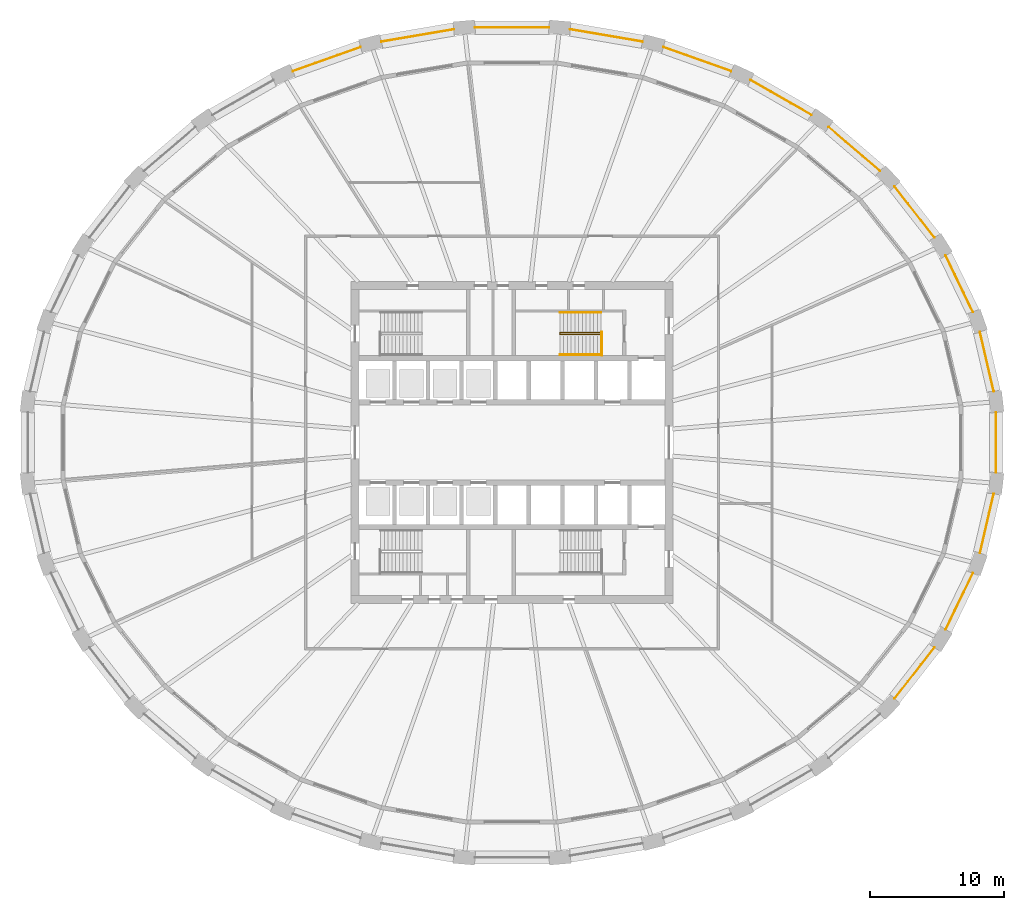
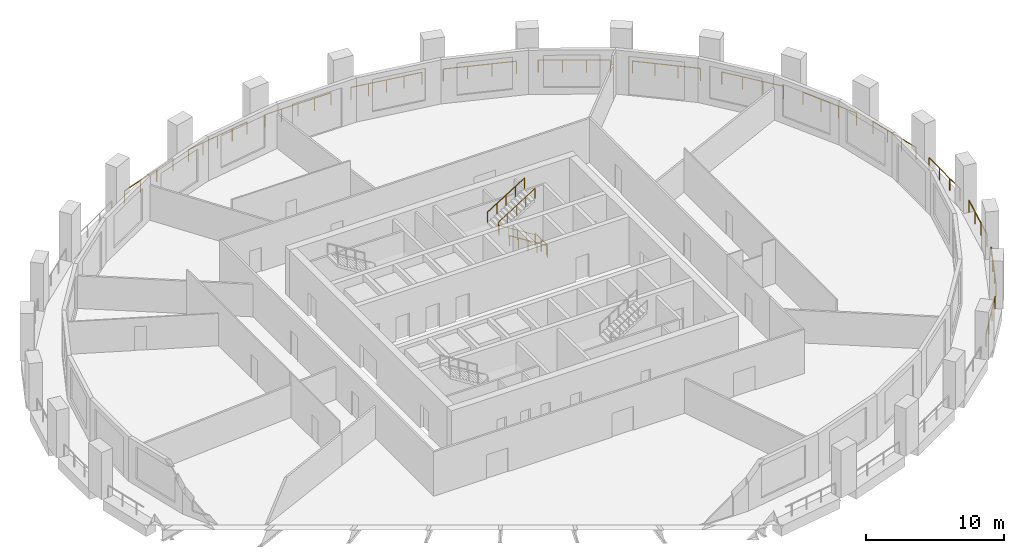
# One storey, part 9 of 10: 18 railings.
"""IFC4 building model written with IfcOpenShell, lengths in metres."""

from ifc_helpers import new_model, si_unit, direction, frame, origin, origin_2d, place, context, subcontext, project, spatial, circle, extrude, material, type_object, element, save


model = new_model("IFC4")

# Units and contexts
model_context = context("Model", 3, precision=1e-05, world=origin(), true_north=direction((0.0, 1.0)))
body_context = subcontext(model_context, "Body", "Model", "MODEL_VIEW")
ifc_project = project(units=[si_unit("LENGTHUNIT", "METRE"), si_unit("AREAUNIT", "SQUARE_METRE"), si_unit("VOLUMEUNIT", "CUBIC_METRE"), si_unit("PLANEANGLEUNIT", "RADIAN"), si_unit("MASSUNIT", "GRAM", prefix="KILO")], contexts=[model_context])

# Site, building, storey
site_placement = place(None, origin())
site = spatial("IfcSite", under=ifc_project, at=site_placement, CompositionType="ELEMENT")
building_placement = place(site_placement, origin())
building = spatial("IfcBuilding", under=site, at=building_placement, Name="Halqa Exchange Tower", CompositionType="ELEMENT")
storey_placement = place(building_placement, frame((0.0, 0.0, 86.5)))
storey = spatial("IfcBuildingStorey", under=building, at=storey_placement, Name="L19", CompositionType="ELEMENT", Elevation=86.5)

# Railings
ifc_material = material(Name="Stainless steel", Category="steel")
railing_type_1 = type_object("IfcRailingType", Name="Guard 1100 stainless steel", PredefinedType="GUARDRAIL", material=ifc_material)
railing_1_placement = place(storey_placement, frame((35.933837890625, 3.828125, 0.0)))
element("IfcRailing", 1, at=railing_1_placement, inside=storey, type_object=railing_type_1, Name="Loggia guard 1", PredefinedType="GUARDRAIL", context=body_context, shape_type="SweptSolid", body=[
    extrude(circle(Radius=0.02392578125, at=origin_2d()), frame((0.0, 0.0, 1.076171875), z_axis=(-0.226049512148, 0.974115813473, 0.0), x_axis=(-0.974115813473, -0.226049512148, 0.0)), (0.0, 0.0, 1.0), 4.539306640625),
    extrude(circle(Radius=0.02099609375, at=origin_2d()), origin(), (0.0, 0.0, 1.0), 1.052001953125),
    extrude(circle(Radius=0.02099609375, at=origin_2d()), frame((-0.342041015625, 1.473876953125, 0.0)), (0.0, 0.0, 1.0), 1.052001953125),
    extrude(circle(Radius=0.02099609375, at=origin_2d()), frame((-0.68408203125, 2.947998046875, 0.0)), (0.0, 0.0, 1.0), 1.052001953125),
    extrude(circle(Radius=0.02099609375, at=origin_2d()), frame((-1.026123046875, 4.421875, 0.0)), (0.0, 0.0, 1.0), 1.052001953125),
])
railing_2_placement = place(storey_placement, frame((34.37890625, 9.749755859375, 0.0)))
element("IfcRailing", 2, at=railing_2_placement, inside=storey, type_object=railing_type_1, Name="Loggia guard 2", PredefinedType="GUARDRAIL", context=body_context, shape_type="SweptSolid", body=[
    extrude(circle(Radius=0.02392578125, at=origin_2d()), frame((0.0, 0.0, 1.076171875), z_axis=(-0.435136078438, 0.900364700131, 0.0), x_axis=(-0.900364700131, -0.435136078438, 0.0)), (0.0, 0.0, 1.0), 4.65673828125),
    extrude(circle(Radius=0.02099609375, at=origin_2d()), origin(), (0.0, 0.0, 1.0), 1.052001953125),
    extrude(circle(Radius=0.02099609375, at=origin_2d()), frame((-0.675537109375, 1.397705078125, 0.0)), (0.0, 0.0, 1.0), 1.052001953125),
    extrude(circle(Radius=0.02099609375, at=origin_2d()), frame((-1.350830078125, 2.795166015625, 0.0)), (0.0, 0.0, 1.0), 1.052001953125),
    extrude(circle(Radius=0.02099609375, at=origin_2d()), frame((-2.0263671875, 4.19287109375, 0.0)), (0.0, 0.0, 1.0), 1.052001953125),
])
railing_3_placement = place(storey_placement, frame((31.5126953125, 15.293701171875, 0.0)))
element("IfcRailing", 3, at=railing_3_placement, inside=storey, type_object=railing_type_1, Name="Loggia guard 3", PredefinedType="GUARDRAIL", context=body_context, shape_type="SweptSolid", body=[
    extrude(circle(Radius=0.02392578125, at=origin_2d()), frame((0.0, 0.0, 1.076171875), z_axis=(-0.614804814525, 0.788679301133, 0.0), x_axis=(-0.788679301133, -0.614804814525, 0.0)), (0.0, 0.0, 1.0), 4.828857421875),
    extrude(circle(Radius=0.02099609375, at=origin_2d()), origin(), (0.0, 0.0, 1.0), 1.052001953125),
    extrude(circle(Radius=0.02099609375, at=origin_2d()), frame((-0.989501953125, 1.26953125, 0.0)), (0.0, 0.0, 1.0), 1.052001953125),
    extrude(circle(Radius=0.02099609375, at=origin_2d()), frame((-1.979248046875, 2.538818359375, 0.0)), (0.0, 0.0, 1.0), 1.052001953125),
    extrude(circle(Radius=0.02099609375, at=origin_2d()), frame((-2.96875, 3.808349609375, 0.0)), (0.0, 0.0, 1.0), 1.052001953125),
])
railing_4_placement = place(storey_placement, frame((27.44482421875, 20.253662109375, 0.0)))
element("IfcRailing", 4, at=railing_4_placement, inside=storey, type_object=railing_type_1, Name="Loggia guard 4", PredefinedType="GUARDRAIL", context=body_context, shape_type="SweptSolid", body=[
    extrude(circle(Radius=0.02392578125, at=origin_2d()), frame((0.0, 0.0, 1.076171875), z_axis=(-0.759263460736, 0.650783371938, 0.0), x_axis=(-0.650783371938, -0.759263460736, 0.0)), (0.0, 0.0, 1.0), 5.025390625),
    extrude(circle(Radius=0.02099609375, at=origin_2d()), origin(), (0.0, 0.0, 1.0), 1.052001953125),
    extrude(circle(Radius=0.02099609375, at=origin_2d()), frame((-1.27197265625, 1.090087890625, 0.0)), (0.0, 0.0, 1.0), 1.052001953125),
    extrude(circle(Radius=0.02099609375, at=origin_2d()), frame((-2.543701171875, 2.180419921875, 0.0)), (0.0, 0.0, 1.0), 1.052001953125),
    extrude(circle(Radius=0.02099609375, at=origin_2d()), frame((-3.815673828125, 3.2705078125, 0.0)), (0.0, 0.0, 1.0), 1.052001953125),
])
railing_5_placement = place(storey_placement, frame((22.32763671875, 24.4423828125, 0.0)))
element("IfcRailing", 5, at=railing_5_placement, inside=storey, type_object=railing_type_1, Name="Loggia guard 5", PredefinedType="GUARDRAIL", context=body_context, shape_type="SweptSolid", body=[
    extrude(circle(Radius=0.02392578125, at=origin_2d()), frame((0.0, 0.0, 1.076171875), z_axis=(-0.867755983437, 0.496990496096, 0.0), x_axis=(-0.496990496096, -0.867755983437, 0.0)), (0.0, 0.0, 1.0), 5.216552734375),
    extrude(circle(Radius=0.02099609375, at=origin_2d()), origin(), (0.0, 0.0, 1.0), 1.052001953125),
    extrude(circle(Radius=0.02099609375, at=origin_2d()), frame((-1.5087890625, 0.8642578125, 0.0)), (0.0, 0.0, 1.0), 1.052001953125),
    extrude(circle(Radius=0.02099609375, at=origin_2d()), frame((-3.017822265625, 1.728271484375, 0.0)), (0.0, 0.0, 1.0), 1.052001953125),
    extrude(circle(Radius=0.02099609375, at=origin_2d()), frame((-4.526611328125, 2.592529296875, 0.0)), (0.0, 0.0, 1.0), 1.052001953125),
])
railing_6_placement = place(storey_placement, frame((16.352783203125, 27.7001953125, 0.0)))
element("IfcRailing", 6, at=railing_6_placement, inside=storey, type_object=railing_type_1, Name="Loggia guard 6", PredefinedType="GUARDRAIL", context=body_context, shape_type="SweptSolid", body=[
    extrude(circle(Radius=0.02392578125, at=origin_2d()), frame((0.0, 0.0, 1.076171875), z_axis=(-0.942372313915, 0.334566020341, 0.0), x_axis=(-0.334566020341, -0.942372313915, 0.0)), (0.0, 0.0, 1.0), 5.37451171875),
    extrude(circle(Radius=0.02099609375, at=origin_2d()), origin(), (0.0, 0.0, 1.0), 1.052001953125),
    extrude(circle(Radius=0.02099609375, at=origin_2d()), frame((-1.688232421875, 0.599365234375, 0.0)), (0.0, 0.0, 1.0), 1.052001953125),
    extrude(circle(Radius=0.02099609375, at=origin_2d()), frame((-3.37646484375, 1.19873046875, 0.0)), (0.0, 0.0, 1.0), 1.052001953125),
    extrude(circle(Radius=0.02099609375, at=origin_2d()), frame((-5.064697265625, 1.798095703125, 0.0)), (0.0, 0.0, 1.0), 1.052001953125),
])
railing_7_placement = place(storey_placement, frame((9.74560546875, 29.900390625, 0.0)))
element("IfcRailing", 7, at=railing_7_placement, inside=storey, type_object=railing_type_1, Name="Loggia guard 7", PredefinedType="GUARDRAIL", context=body_context, shape_type="SweptSolid", body=[
    extrude(circle(Radius=0.02392578125, at=origin_2d()), frame((0.0, 0.0, 1.076171875), z_axis=(-0.985775171727, 0.168069363079, 0.0), x_axis=(-0.168069363079, -0.985775171727, 0.0)), (0.0, 0.0, 1.0), 5.477783203125),
    extrude(circle(Radius=0.02099609375, at=origin_2d()), origin(), (0.0, 0.0, 1.0), 1.052001953125),
    extrude(circle(Radius=0.02099609375, at=origin_2d()), frame((-1.35009765625, 0.230224609375, 0.0)), (0.0, 0.0, 1.0), 1.052001953125),
    extrude(circle(Radius=0.02099609375, at=origin_2d()), frame((-2.699951171875, 0.46044921875, 0.0)), (0.0, 0.0, 1.0), 1.052001953125),
    extrude(circle(Radius=0.02099609375, at=origin_2d()), frame((-4.0498046875, 0.6904296875, 0.0)), (0.0, 0.0, 1.0), 1.052001953125),
    extrude(circle(Radius=0.02099609375, at=origin_2d()), frame((-5.39990234375, 0.920654296875, 0.0)), (0.0, 0.0, 1.0), 1.052001953125),
])
railing_8_placement = place(storey_placement, frame((2.757080078125, 30.95556640625, 0.0)))
element("IfcRailing", 8, at=railing_8_placement, inside=storey, type_object=railing_type_1, Name="Loggia guard 8", PredefinedType="GUARDRAIL", context=body_context, shape_type="SweptSolid", body=[
    extrude(circle(Radius=0.02392578125, at=origin_2d()), frame((0.0, 0.0, 1.076171875), z_axis=(-1.0, 0.0, 0.0), x_axis=(0.0, -1.0, 0.0)), (0.0, 0.0, 1.0), 5.51416015625),
    extrude(circle(Radius=0.02099609375, at=origin_2d()), origin(), (0.0, 0.0, 1.0), 1.052001953125),
    extrude(circle(Radius=0.02099609375, at=origin_2d()), frame((-1.37841796875, 0.0, 0.0)), (0.0, 0.0, 1.0), 1.052001953125),
    extrude(circle(Radius=0.02099609375, at=origin_2d()), frame((-2.757080078125, 0.0, 0.0)), (0.0, 0.0, 1.0), 1.052001953125),
    extrude(circle(Radius=0.02099609375, at=origin_2d()), frame((-4.1357421875, 0.0, 0.0)), (0.0, 0.0, 1.0), 1.052001953125),
    extrude(circle(Radius=0.02099609375, at=origin_2d()), frame((-5.51416015625, 0.0, 0.0)), (0.0, 0.0, 1.0), 1.052001953125),
])
railing_9_placement = place(storey_placement, frame((-4.345703125, 30.821044921875, 0.0)))
element("IfcRailing", 9, at=railing_9_placement, inside=storey, type_object=railing_type_1, Name="Loggia guard 9", PredefinedType="GUARDRAIL", context=body_context, shape_type="SweptSolid", body=[
    extrude(circle(Radius=0.02392578125, at=origin_2d()), frame((0.0, 0.0, 1.076171875), z_axis=(-0.985775171727, -0.168069363079, 0.0), x_axis=(0.168069363079, -0.985775171727, 0.0)), (0.0, 0.0, 1.0), 5.477783203125),
    extrude(circle(Radius=0.02099609375, at=origin_2d()), origin(), (0.0, 0.0, 1.0), 1.052001953125),
    extrude(circle(Radius=0.02099609375, at=origin_2d()), frame((-1.35009765625, -0.230224609375, 0.0)), (0.0, 0.0, 1.0), 1.052001953125),
    extrude(circle(Radius=0.02099609375, at=origin_2d()), frame((-2.699951171875, -0.46044921875, 0.0)), (0.0, 0.0, 1.0), 1.052001953125),
    extrude(circle(Radius=0.02099609375, at=origin_2d()), frame((-4.0498046875, -0.6904296875, 0.0)), (0.0, 0.0, 1.0), 1.052001953125),
    extrude(circle(Radius=0.02099609375, at=origin_2d()), frame((-5.39990234375, -0.920654296875, 0.0)), (0.0, 0.0, 1.0), 1.052001953125),
])
railing_10_placement = place(storey_placement, frame((-11.2880859375, 29.498291015625, 0.0)))
element("IfcRailing", 10, at=railing_10_placement, inside=storey, type_object=railing_type_1, Name="Loggia guard 10", PredefinedType="GUARDRAIL", context=body_context, shape_type="SweptSolid", body=[
    extrude(circle(Radius=0.02392578125, at=origin_2d()), frame((0.0, 0.0, 1.076171875), z_axis=(-0.942372313915, -0.334566020341, 0.0), x_axis=(0.334566020341, -0.942372313915, 0.0)), (0.0, 0.0, 1.0), 5.37451171875),
    extrude(circle(Radius=0.02099609375, at=origin_2d()), origin(), (0.0, 0.0, 1.0), 1.052001953125),
    extrude(circle(Radius=0.02099609375, at=origin_2d()), frame((-1.688232421875, -0.599365234375, 0.0)), (0.0, 0.0, 1.0), 1.052001953125),
    extrude(circle(Radius=0.02099609375, at=origin_2d()), frame((-3.37646484375, -1.19873046875, 0.0)), (0.0, 0.0, 1.0), 1.052001953125),
    extrude(circle(Radius=0.02099609375, at=origin_2d()), frame((-5.064697265625, -1.798095703125, 0.0)), (0.0, 0.0, 1.0), 1.052001953125),
])
railing_11_placement = place(storey_placement, frame((28.5439453125, -19.10205078125, 0.0)))
element("IfcRailing", 11, at=railing_11_placement, inside=storey, type_object=railing_type_1, Name="Loggia guard 29", PredefinedType="GUARDRAIL", context=body_context, shape_type="SweptSolid", body=[
    extrude(circle(Radius=0.02392578125, at=origin_2d()), frame((0.0, 0.0, 1.076171875), z_axis=(0.614804814525, 0.788679301133, 0.0), x_axis=(-0.788679301133, 0.614804814525, 0.0)), (0.0, 0.0, 1.0), 4.828857421875),
    extrude(circle(Radius=0.02099609375, at=origin_2d()), origin(), (0.0, 0.0, 1.0), 1.052001953125),
    extrude(circle(Radius=0.02099609375, at=origin_2d()), frame((0.989501953125, 1.26953125, 0.0)), (0.0, 0.0, 1.0), 1.052001953125),
    extrude(circle(Radius=0.02099609375, at=origin_2d()), frame((1.979248046875, 2.538818359375, 0.0)), (0.0, 0.0, 1.0), 1.052001953125),
    extrude(circle(Radius=0.02099609375, at=origin_2d()), frame((2.96875, 3.808349609375, 0.0)), (0.0, 0.0, 1.0), 1.052001953125),
])
railing_12_placement = place(storey_placement, frame((32.3525390625, -13.942626953125, 0.0)))
element("IfcRailing", 12, at=railing_12_placement, inside=storey, type_object=railing_type_1, Name="Loggia guard 30", PredefinedType="GUARDRAIL", context=body_context, shape_type="SweptSolid", body=[
    extrude(circle(Radius=0.02392578125, at=origin_2d()), frame((0.0, 0.0, 1.076171875), z_axis=(0.435136078438, 0.900364700131, 0.0), x_axis=(-0.900364700131, 0.435136078438, 0.0)), (0.0, 0.0, 1.0), 4.65673828125),
    extrude(circle(Radius=0.02099609375, at=origin_2d()), origin(), (0.0, 0.0, 1.0), 1.052001953125),
    extrude(circle(Radius=0.02099609375, at=origin_2d()), frame((0.675537109375, 1.397705078125, 0.0)), (0.0, 0.0, 1.0), 1.052001953125),
    extrude(circle(Radius=0.02099609375, at=origin_2d()), frame((1.350830078125, 2.795166015625, 0.0)), (0.0, 0.0, 1.0), 1.052001953125),
    extrude(circle(Radius=0.02099609375, at=origin_2d()), frame((2.0263671875, 4.19287109375, 0.0)), (0.0, 0.0, 1.0), 1.052001953125),
])
railing_13_placement = place(storey_placement, frame((34.90771484375, -8.25, 0.0)))
element("IfcRailing", 13, at=railing_13_placement, inside=storey, type_object=railing_type_1, Name="Loggia guard 31", PredefinedType="GUARDRAIL", context=body_context, shape_type="SweptSolid", body=[
    extrude(circle(Radius=0.02392578125, at=origin_2d()), frame((0.0, 0.0, 1.076171875), z_axis=(0.226049512148, 0.974115813473, 0.0), x_axis=(-0.974115813473, 0.226049512148, 0.0)), (0.0, 0.0, 1.0), 4.539306640625),
    extrude(circle(Radius=0.02099609375, at=origin_2d()), origin(), (0.0, 0.0, 1.0), 1.052001953125),
    extrude(circle(Radius=0.02099609375, at=origin_2d()), frame((0.342041015625, 1.473876953125, 0.0)), (0.0, 0.0, 1.0), 1.052001953125),
    extrude(circle(Radius=0.02099609375, at=origin_2d()), frame((0.68408203125, 2.947998046875, 0.0)), (0.0, 0.0, 1.0), 1.052001953125),
    extrude(circle(Radius=0.02099609375, at=origin_2d()), frame((1.026123046875, 4.421875, 0.0)), (0.0, 0.0, 1.0), 1.052001953125),
])
railing_14_placement = place(storey_placement, frame((36.11474609375, -2.248779296875, 0.0)))
element("IfcRailing", 14, at=railing_14_placement, inside=storey, type_object=railing_type_1, Name="Loggia guard 32", PredefinedType="GUARDRAIL", context=body_context, shape_type="SweptSolid", body=[
    extrude(circle(Radius=0.02392578125, at=origin_2d()), frame((0.0, 0.0, 1.076171875), z_axis=(0.0, 1.0, 0.0), x_axis=(-1.0, 0.0, 0.0)), (0.0, 0.0, 1.0), 4.49755859375),
    extrude(circle(Radius=0.02099609375, at=origin_2d()), origin(), (0.0, 0.0, 1.0), 1.052001953125),
    extrude(circle(Radius=0.02099609375, at=origin_2d()), frame((0.0, 1.499267578125, 0.0)), (0.0, 0.0, 1.0), 1.052001953125),
    extrude(circle(Radius=0.02099609375, at=origin_2d()), frame((0.0, 2.998291015625, 0.0)), (0.0, 0.0, 1.0), 1.052001953125),
    extrude(circle(Radius=0.02099609375, at=origin_2d()), frame((0.0, 4.49755859375, 0.0)), (0.0, 0.0, 1.0), 1.052001953125),
])
railing_type_2 = type_object("IfcRailingType", Name="Stair handrail 900", PredefinedType="HANDRAIL", material=ifc_material)
railing_15_placement = place(storey_placement, frame((6.64990234375, 8.06005859375, 0.175048828125)))
element("IfcRailing", 15, at=railing_15_placement, inside=storey, type_object=railing_type_2, Name="Handrail ST2.1", PredefinedType="HANDRAIL", context=body_context, shape_type="SweptSolid", body=[
    extrude(circle(Radius=0.02392578125, at=origin_2d()), frame((0.0, 0.0, 0.8759765625), z_axis=(-0.847979421464, 0.0, 0.530029150871), x_axis=(0.0, -1.0, 0.0)), (0.0, 0.0, 1.0), 3.632080078125),
    extrude(circle(Radius=0.02392578125, at=origin_2d()), frame((-3.079833984375, 0.0, 2.80078125), z_axis=(0.0, 0.596406559517, 0.802682512433), x_axis=(-1.0, 0.0, 0.0)), (0.0, 0.0, 1.0), 0.2177734375),
    extrude(circle(Radius=0.02392578125, at=origin_2d()), frame((-3.079833984375, 0.1298828125, 2.9755859375), z_axis=(0.847979421464, 0.0, 0.530029150871), x_axis=(0.0, 1.0, 0.0)), (0.0, 0.0, 1.0), 3.632080078125),
    extrude(circle(Radius=0.02099609375, at=origin_2d()), origin(), (0.0, 0.0, 1.0), 0.851806640625),
    extrude(circle(Radius=0.02099609375, at=origin_2d()), frame((-0.77001953125, 0.0, 0.481201171875)), (0.0, 0.0, 1.0), 0.851806640625),
    extrude(circle(Radius=0.02099609375, at=origin_2d()), frame((-1.5400390625, 0.0, 0.96240234375)), (0.0, 0.0, 1.0), 0.851806640625),
    extrude(circle(Radius=0.02099609375, at=origin_2d()), frame((-2.309814453125, 0.0, 1.44384765625)), (0.0, 0.0, 1.0), 0.851806640625),
    extrude(circle(Radius=0.02099609375, at=origin_2d()), frame((-3.079833984375, 0.0, 1.925048828125)), (0.0, 0.0, 1.0), 0.851806640625),
    extrude(circle(Radius=0.02099609375, at=origin_2d()), frame((-3.079833984375, 0.1298828125, 2.099853515625)), (0.0, 0.0, 1.0), 0.851806640625),
    extrude(circle(Radius=0.02099609375, at=origin_2d()), frame((-2.309814453125, 0.1298828125, 2.5810546875)), (0.0, 0.0, 1.0), 0.851806640625),
    extrude(circle(Radius=0.02099609375, at=origin_2d()), frame((-1.5400390625, 0.1298828125, 3.0625)), (0.0, 0.0, 1.0), 0.851806640625),
    extrude(circle(Radius=0.02099609375, at=origin_2d()), frame((-0.77001953125, 0.1298828125, 3.543701171875)), (0.0, 0.0, 1.0), 0.851806640625),
    extrude(circle(Radius=0.02099609375, at=origin_2d()), frame((0.0, 0.1298828125, 4.02490234375)), (0.0, 0.0, 1.0), 0.851806640625),
])
railing_16_placement = place(storey_placement, frame((6.64990234375, 6.550048828125, 0.175048828125)))
element("IfcRailing", 16, at=railing_16_placement, inside=storey, type_object=railing_type_2, Name="Handrail ST2.2", PredefinedType="HANDRAIL", context=body_context, shape_type="SweptSolid", body=[
    extrude(circle(Radius=0.02392578125, at=origin_2d()), frame((0.0, 0.0, 0.8759765625), z_axis=(-0.847979421464, 0.0, 0.530029150871), x_axis=(0.0, -1.0, 0.0)), (0.0, 0.0, 1.0), 3.632080078125),
    extrude(circle(Radius=0.02099609375, at=origin_2d()), origin(), (0.0, 0.0, 1.0), 0.851806640625),
    extrude(circle(Radius=0.02099609375, at=origin_2d()), frame((-0.77001953125, 0.0, 0.481201171875)), (0.0, 0.0, 1.0), 0.851806640625),
    extrude(circle(Radius=0.02099609375, at=origin_2d()), frame((-1.5400390625, 0.0, 0.96240234375)), (0.0, 0.0, 1.0), 0.851806640625),
    extrude(circle(Radius=0.02099609375, at=origin_2d()), frame((-2.309814453125, 0.0, 1.44384765625)), (0.0, 0.0, 1.0), 0.851806640625),
    extrude(circle(Radius=0.02099609375, at=origin_2d()), frame((-3.079833984375, 0.0, 1.925048828125)), (0.0, 0.0, 1.0), 0.851806640625),
])
railing_17_placement = place(storey_placement, frame((3.570068359375, 9.699951171875, 2.27490234375)))
element("IfcRailing", 17, at=railing_17_placement, inside=storey, type_object=railing_type_2, Name="Handrail ST2.3", PredefinedType="HANDRAIL", context=body_context, shape_type="SweptSolid", body=[
    extrude(circle(Radius=0.02392578125, at=origin_2d()), frame((0.0, 0.0, 0.8759765625), z_axis=(0.847979421464, 0.0, 0.530029150871), x_axis=(0.0, 1.0, 0.0)), (0.0, 0.0, 1.0), 3.632080078125),
    extrude(circle(Radius=0.02099609375, at=origin_2d()), origin(), (0.0, 0.0, 1.0), 0.851806640625),
    extrude(circle(Radius=0.02099609375, at=origin_2d()), frame((0.77001953125, 0.0, 0.481201171875)), (0.0, 0.0, 1.0), 0.851806640625),
    extrude(circle(Radius=0.02099609375, at=origin_2d()), frame((1.5400390625, 0.0, 0.96240234375)), (0.0, 0.0, 1.0), 0.851806640625),
    extrude(circle(Radius=0.02099609375, at=origin_2d()), frame((2.309814453125, 0.0, 1.44384765625)), (0.0, 0.0, 1.0), 0.851806640625),
    extrude(circle(Radius=0.02099609375, at=origin_2d()), frame((3.079833984375, 0.0, 1.925048828125)), (0.0, 0.0, 1.0), 0.851806640625),
])
railing_type_3 = type_object("IfcRailingType", Name="Stair well guard 1100", PredefinedType="GUARDRAIL", material=ifc_material)
railing_18_placement = place(storey_placement, frame((6.699951171875, 6.5, 0.0)))
element("IfcRailing", 18, at=railing_18_placement, inside=storey, type_object=railing_type_3, Name="Guard ST2 well", PredefinedType="GUARDRAIL", context=body_context, shape_type="SweptSolid", body=[
    extrude(circle(Radius=0.02392578125, at=origin_2d()), frame((0.0, 0.0, 1.076171875), z_axis=(0.0, 1.0, 0.0), x_axis=(-1.0, 0.0, 0.0)), (0.0, 0.0, 1.0), 1.75),
    extrude(circle(Radius=0.02099609375, at=origin_2d()), origin(), (0.0, 0.0, 1.0), 1.052001953125),
    extrude(circle(Radius=0.02099609375, at=origin_2d()), frame((0.0, 0.875, 0.0)), (0.0, 0.0, 1.0), 1.052001953125),
    extrude(circle(Radius=0.02099609375, at=origin_2d()), frame((0.0, 1.75, 0.0)), (0.0, 0.0, 1.0), 1.052001953125),
])

save(model, "model.ifc")
